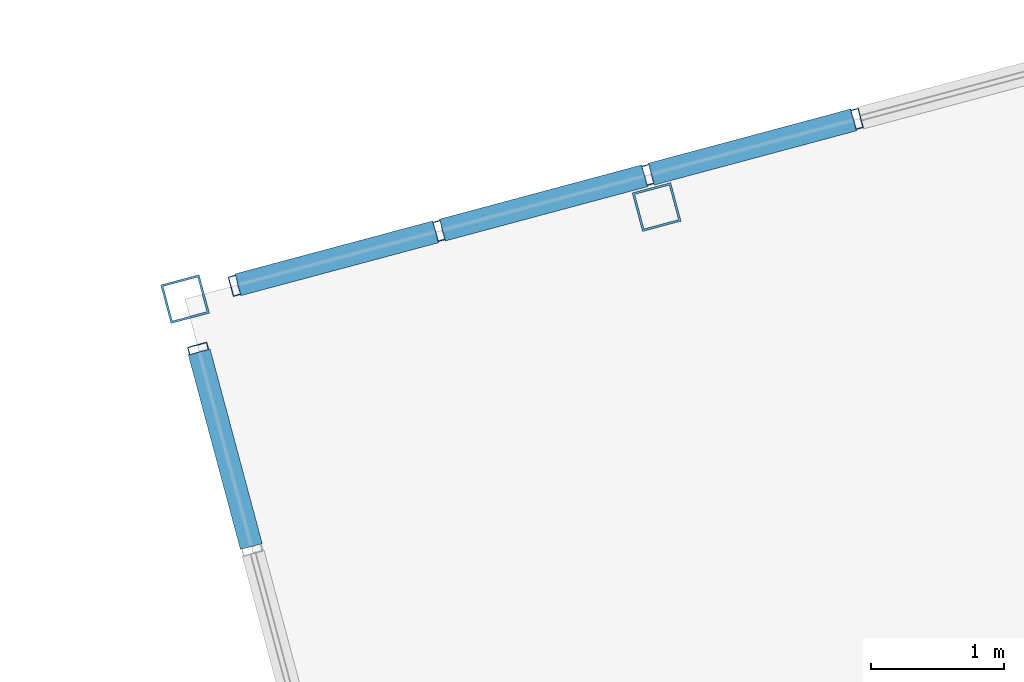
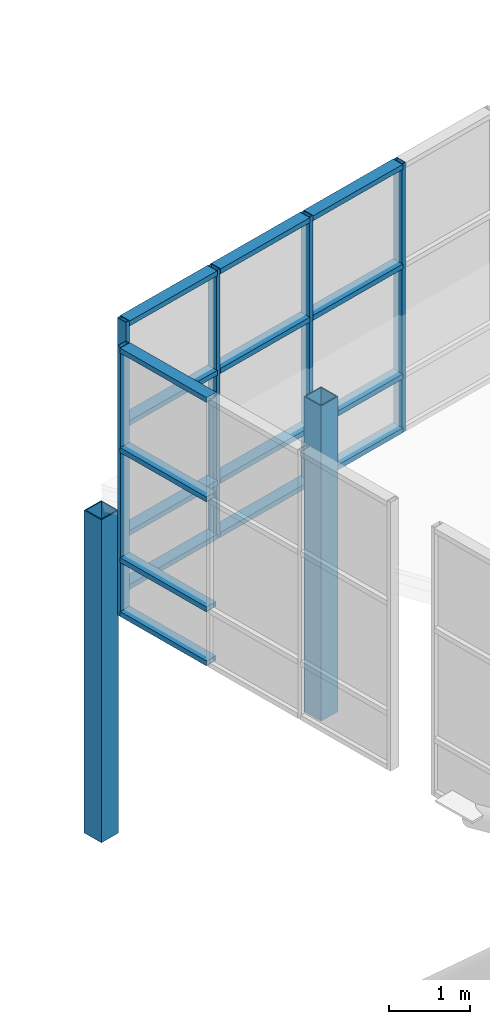
# One storey, part 8 of 28: 23 members, 2 elements without a shape of their own.
"""IFC4 building model written with IfcOpenShell, lengths in metres."""

from ifc_helpers import new_model, si_unit, direction, frame, origin, origin_2d, place, context, subcontext, project, spatial, hollow_rectangle, extrude, material, layer, layer_set, material_profile, profile_set, type_object, element, aggregate, save


model = new_model("IFC4")

# Units and contexts
model_context = context("Model", 3, precision=1e-05, world=origin(), true_north=direction((0.0, 1.0)))
body_context = subcontext(model_context, "Body", "Model", "MODEL_VIEW")
ifc_project = project(units=[si_unit("LENGTHUNIT", "METRE"), si_unit("AREAUNIT", "SQUARE_METRE"), si_unit("VOLUMEUNIT", "CUBIC_METRE"), si_unit("PLANEANGLEUNIT", "RADIAN"), si_unit("MASSUNIT", "GRAM", prefix="KILO")], contexts=[model_context])

# Site, building, storey
site_placement = place(None, origin())
site = spatial("IfcSite", under=ifc_project, at=site_placement, CompositionType="ELEMENT")
building_placement = place(site_placement, origin())
building = spatial("IfcBuilding", under=site, at=building_placement, Name="Ventoquebrada Cableway Terminal", CompositionType="ELEMENT")
storey_placement = place(building_placement, frame((0.0, 0.0, 23.39990234375)))
storey = spatial("IfcBuildingStorey", under=building, at=storey_placement, Name="RF", CompositionType="ELEMENT", Elevation=23.39990234375)

# Curtain wall, members
ifc_material_1 = material(Name="Anodized thermally-broken aluminium", Category="aluminium")
ifc_layer_1 = layer(ifc_material_1, 0.159912109375)
ifc_layer_set_1 = layer_set([ifc_layer_1], Name="Anodized thermally-broken aluminium")
curtain_wall_type_1 = type_object("IfcCurtainWallType", Name="CW-T48", PredefinedType="USERDEFINED", material=ifc_layer_set_1)
curtain_wall_1_placement = place(storey_placement, origin())
curtain_wall_1 = element("IfcCurtainWall", 1, at=curtain_wall_1_placement, inside=storey, type_object=curtain_wall_type_1, Name="Unitised glazed curtain wall CW-156", ObjectType="UNITISED CURTAIN WALL", PredefinedType="USERDEFINED")
ifc_material_profile_1 = material_profile(ifc_material_1, hollow_rectangle(XDim=0.06005859375, YDim=0.14990234375, WallThickness=0.00390625, at=origin_2d()), Name="CW-MUL-60X150")
ifc_profile_set_1 = profile_set([ifc_material_profile_1], Name="Anodized thermally-broken aluminium")
member_type_1 = type_object("IfcMemberType", Name="CWM-03", PredefinedType="MULLION", material=ifc_profile_set_1)
member_1_placement = place(storey_placement, frame((50.2958984375, 96.2509765625, -0.06298828125), z_axis=(0.0, 0.0, 1.0), x_axis=(-0.96593486019, -0.258785327773, 0.0)))
member_1 = element("IfcMember", 2, at=member_1_placement, type_object=member_type_1, Name="Curtain wall mullion FML-0758", PredefinedType="MULLION", context=body_context, shape_type="SweptSolid", body=[
    extrude(hollow_rectangle(XDim=0.06005859375, YDim=0.14990234375, WallThickness=0.00390625, at=origin_2d()), origin(), (0.0, 0.0, 1.0), 4.068115234375),
])
member_2_placement = place(storey_placement, frame((48.72607421875, 95.830078125, -0.06298828125), z_axis=(0.0, 0.0, 1.0), x_axis=(-0.96593486019, -0.258785327773, 0.0)))
member_2 = element("IfcMember", 3, at=member_2_placement, type_object=member_type_1, Name="Curtain wall mullion FML-0759", PredefinedType="MULLION", context=body_context, shape_type="SweptSolid", body=[
    extrude(hollow_rectangle(XDim=0.06005859375, YDim=0.14990234375, WallThickness=0.00390625, at=origin_2d()), origin(), (0.0, 0.0, 1.0), 4.068115234375),
])
member_3_placement = place(storey_placement, frame((47.156982421875, 95.409912109375, -0.06298828125), z_axis=(0.0, 0.0, 1.0), x_axis=(-0.96593486019, -0.258785327773, 0.0)))
member_3 = element("IfcMember", 4, at=member_3_placement, type_object=member_type_1, Name="Curtain wall mullion FML-0760", PredefinedType="MULLION", context=body_context, shape_type="SweptSolid", body=[
    extrude(hollow_rectangle(XDim=0.06005859375, YDim=0.14990234375, WallThickness=0.00390625, at=origin_2d()), origin(), (0.0, 0.0, 1.0), 4.068115234375),
])
member_4_placement = place(storey_placement, frame((45.62109375, 94.998046875, -0.06298828125), z_axis=(0.0, 0.0, 1.0), x_axis=(-0.96593486019, -0.258785327773, 0.0)))
member_4 = element("IfcMember", 5, at=member_4_placement, type_object=member_type_1, Name="Curtain wall mullion FML-0761", PredefinedType="MULLION", context=body_context, shape_type="SweptSolid", body=[
    extrude(hollow_rectangle(XDim=0.06005859375, YDim=0.14990234375, WallThickness=0.00390625, at=origin_2d()), origin(), (0.0, 0.0, 1.0), 4.068115234375),
])

# Curtain wall, member
ifc_layer_2 = layer(ifc_material_1, 0.159912109375)
ifc_layer_set_2 = layer_set([ifc_layer_2], Name="Anodized thermally-broken aluminium")
curtain_wall_type_2 = type_object("IfcCurtainWallType", Name="CW-T49", PredefinedType="USERDEFINED", material=ifc_layer_set_2)
curtain_wall_2_placement = place(storey_placement, origin())
curtain_wall_2 = element("IfcCurtainWall", 6, at=curtain_wall_2_placement, inside=storey, type_object=curtain_wall_type_2, Name="Unitised glazed curtain wall CW-164", ObjectType="UNITISED CURTAIN WALL", PredefinedType="USERDEFINED")
member_5_placement = place(storey_placement, frame((45.347900390625, 94.52587890625, -0.06298828125), z_axis=(0.0, 0.0, 1.0), x_axis=(0.258970769183, -0.965885159172, 0.0)))
member_5 = element("IfcMember", 7, at=member_5_placement, type_object=member_type_1, Name="Curtain wall mullion FML-0796", PredefinedType="MULLION", context=body_context, shape_type="SweptSolid", body=[
    extrude(hollow_rectangle(XDim=0.06005859375, YDim=0.14990234375, WallThickness=0.00390625, at=origin_2d()), origin(), (0.0, 0.0, 1.0), 4.068115234375),
])

# Member
ifc_material_profile_2 = material_profile(ifc_material_1, hollow_rectangle(XDim=0.074951171875, YDim=0.169921875, WallThickness=0.00439453125, at=origin_2d()), Name="CW-TRN-75X170")
ifc_profile_set_2 = profile_set([ifc_material_profile_2], Name="Anodized thermally-broken aluminium")
member_type_2 = type_object("IfcMemberType", Name="CWT-03", PredefinedType="USERDEFINED", material=ifc_profile_set_2)
member_6_placement = place(storey_placement, frame((50.27099609375, 96.243896484375, -0.02001953125), z_axis=(-0.965860816082, -0.259061544731, 0.0), x_axis=(0.0, 0.0, 1.0)))
member_6 = element("IfcMember", 8, at=member_6_placement, type_object=member_type_2, Name="Curtain wall transom FTR-2208", ObjectType="TRANSOM", PredefinedType="USERDEFINED", context=body_context, shape_type="SweptSolid", body=[
    extrude(hollow_rectangle(XDim=0.074951171875, YDim=0.169921875, WallThickness=0.00439453125, at=origin_2d()), origin(), (0.0, 0.0, 1.0), 1.57470703125),
])

member_7_placement = place(storey_placement, frame((50.27099609375, 96.243896484375, 0.795166015625), z_axis=(-0.965860816082, -0.259061544731, 0.0), x_axis=(0.0, 0.0, 1.0)))
member_7 = element("IfcMember", 9, at=member_7_placement, type_object=member_type_2, Name="Curtain wall transom FTR-2209", ObjectType="TRANSOM", PredefinedType="USERDEFINED", context=body_context, shape_type="SweptSolid", body=[
    extrude(hollow_rectangle(XDim=0.074951171875, YDim=0.169921875, WallThickness=0.00439453125, at=origin_2d()), origin(), (0.0, 0.0, 1.0), 1.57470703125),
])

member_8_placement = place(storey_placement, frame((50.27099609375, 96.243896484375, 2.458984375), z_axis=(-0.965860816082, -0.259061544731, 0.0), x_axis=(0.0, 0.0, 1.0)))
member_8 = element("IfcMember", 10, at=member_8_placement, type_object=member_type_2, Name="Curtain wall transom FTR-2210", ObjectType="TRANSOM", PredefinedType="USERDEFINED", context=body_context, shape_type="SweptSolid", body=[
    extrude(hollow_rectangle(XDim=0.074951171875, YDim=0.169921875, WallThickness=0.00439453125, at=origin_2d()), origin(), (0.0, 0.0, 1.0), 1.57470703125),
])

member_9_placement = place(storey_placement, frame((50.27099609375, 96.243896484375, 3.965087890625), z_axis=(-0.965860816082, -0.259061544731, 0.0), x_axis=(0.0, 0.0, 1.0)))
member_9 = element("IfcMember", 11, at=member_9_placement, type_object=member_type_2, Name="Curtain wall transom FTR-2211", ObjectType="TRANSOM", PredefinedType="USERDEFINED", context=body_context, shape_type="SweptSolid", body=[
    extrude(hollow_rectangle(XDim=0.074951171875, YDim=0.169921875, WallThickness=0.00439453125, at=origin_2d()), origin(), (0.0, 0.0, 1.0), 1.57470703125),
])

member_10_placement = place(storey_placement, frame((48.701904296875, 95.823974609375, -0.02001953125), z_axis=(-0.965860816082, -0.259061544731, 0.0), x_axis=(0.0, 0.0, 1.0)))
member_10 = element("IfcMember", 12, at=member_10_placement, type_object=member_type_2, Name="Curtain wall transom FTR-2212", ObjectType="TRANSOM", PredefinedType="USERDEFINED", context=body_context, shape_type="SweptSolid", body=[
    extrude(hollow_rectangle(XDim=0.074951171875, YDim=0.169921875, WallThickness=0.00439453125, at=origin_2d()), origin(), (0.0, 0.0, 1.0), 1.57470703125),
])

member_11_placement = place(storey_placement, frame((48.701904296875, 95.823974609375, 0.795166015625), z_axis=(-0.965860816082, -0.259061544731, 0.0), x_axis=(0.0, 0.0, 1.0)))
member_11 = element("IfcMember", 13, at=member_11_placement, type_object=member_type_2, Name="Curtain wall transom FTR-2213", ObjectType="TRANSOM", PredefinedType="USERDEFINED", context=body_context, shape_type="SweptSolid", body=[
    extrude(hollow_rectangle(XDim=0.074951171875, YDim=0.169921875, WallThickness=0.00439453125, at=origin_2d()), origin(), (0.0, 0.0, 1.0), 1.57470703125),
])

member_12_placement = place(storey_placement, frame((48.701904296875, 95.823974609375, 2.458984375), z_axis=(-0.965860816082, -0.259061544731, 0.0), x_axis=(0.0, 0.0, 1.0)))
member_12 = element("IfcMember", 14, at=member_12_placement, type_object=member_type_2, Name="Curtain wall transom FTR-2214", ObjectType="TRANSOM", PredefinedType="USERDEFINED", context=body_context, shape_type="SweptSolid", body=[
    extrude(hollow_rectangle(XDim=0.074951171875, YDim=0.169921875, WallThickness=0.00439453125, at=origin_2d()), origin(), (0.0, 0.0, 1.0), 1.57470703125),
])

member_13_placement = place(storey_placement, frame((48.701904296875, 95.823974609375, 3.965087890625), z_axis=(-0.965860816082, -0.259061544731, 0.0), x_axis=(0.0, 0.0, 1.0)))
member_13 = element("IfcMember", 15, at=member_13_placement, type_object=member_type_2, Name="Curtain wall transom FTR-2215", ObjectType="TRANSOM", PredefinedType="USERDEFINED", context=body_context, shape_type="SweptSolid", body=[
    extrude(hollow_rectangle(XDim=0.074951171875, YDim=0.169921875, WallThickness=0.00439453125, at=origin_2d()), origin(), (0.0, 0.0, 1.0), 1.57470703125),
])

member_14_placement = place(storey_placement, frame((47.132080078125, 95.403076171875, -0.02001953125), z_axis=(-0.96596857403, -0.25865945563, 0.0), x_axis=(0.0, 0.0, 1.0)))
member_14 = element("IfcMember", 16, at=member_14_placement, type_object=member_type_2, Name="Curtain wall transom FTR-2216", ObjectType="TRANSOM", PredefinedType="USERDEFINED", context=body_context, shape_type="SweptSolid", body=[
    extrude(hollow_rectangle(XDim=0.074951171875, YDim=0.169921875, WallThickness=0.00439453125, at=origin_2d()), origin(), (0.0, 0.0, 1.0), 1.53955078125),
])

member_15_placement = place(storey_placement, frame((47.132080078125, 95.403076171875, 0.795166015625), z_axis=(-0.96596857403, -0.25865945563, 0.0), x_axis=(0.0, 0.0, 1.0)))
member_15 = element("IfcMember", 17, at=member_15_placement, type_object=member_type_2, Name="Curtain wall transom FTR-2217", ObjectType="TRANSOM", PredefinedType="USERDEFINED", context=body_context, shape_type="SweptSolid", body=[
    extrude(hollow_rectangle(XDim=0.074951171875, YDim=0.169921875, WallThickness=0.00439453125, at=origin_2d()), origin(), (0.0, 0.0, 1.0), 1.53955078125),
])

member_16_placement = place(storey_placement, frame((47.132080078125, 95.403076171875, 2.458984375), z_axis=(-0.96596857403, -0.25865945563, 0.0), x_axis=(0.0, 0.0, 1.0)))
member_16 = element("IfcMember", 18, at=member_16_placement, type_object=member_type_2, Name="Curtain wall transom FTR-2218", ObjectType="TRANSOM", PredefinedType="USERDEFINED", context=body_context, shape_type="SweptSolid", body=[
    extrude(hollow_rectangle(XDim=0.074951171875, YDim=0.169921875, WallThickness=0.00439453125, at=origin_2d()), origin(), (0.0, 0.0, 1.0), 1.53955078125),
])

member_17_placement = place(storey_placement, frame((47.132080078125, 95.403076171875, 3.965087890625), z_axis=(-0.96596857403, -0.25865945563, 0.0), x_axis=(0.0, 0.0, 1.0)))
member_17 = element("IfcMember", 19, at=member_17_placement, type_object=member_type_2, Name="Curtain wall transom FTR-2219", ObjectType="TRANSOM", PredefinedType="USERDEFINED", context=body_context, shape_type="SweptSolid", body=[
    extrude(hollow_rectangle(XDim=0.074951171875, YDim=0.169921875, WallThickness=0.00439453125, at=origin_2d()), origin(), (0.0, 0.0, 1.0), 1.53955078125),
])

aggregate(curtain_wall_1, [member_1, member_2, member_3, member_4, member_6, member_7, member_8, member_9, member_10, member_11, member_12, member_13, member_14, member_15, member_16, member_17])

member_18_placement = place(storey_placement, frame((45.35498046875, 94.501953125, -0.02001953125), z_axis=(0.258886490244, -0.965907751894, 0.0), x_axis=(0.0, 0.0, 1.0)))
member_18 = element("IfcMember", 20, at=member_18_placement, type_object=member_type_2, Name="Curtain wall transom FTR-2328", ObjectType="TRANSOM", PredefinedType="USERDEFINED", context=body_context, shape_type="SweptSolid", body=[
    extrude(hollow_rectangle(XDim=0.074951171875, YDim=0.169921875, WallThickness=0.00439453125, at=origin_2d()), origin(), (0.0, 0.0, 1.0), 1.514404296875),
])

member_19_placement = place(storey_placement, frame((45.35498046875, 94.501953125, 0.795166015625), z_axis=(0.258886490244, -0.965907751894, 0.0), x_axis=(0.0, 0.0, 1.0)))
member_19 = element("IfcMember", 21, at=member_19_placement, type_object=member_type_2, Name="Curtain wall transom FTR-2329", ObjectType="TRANSOM", PredefinedType="USERDEFINED", context=body_context, shape_type="SweptSolid", body=[
    extrude(hollow_rectangle(XDim=0.074951171875, YDim=0.169921875, WallThickness=0.00439453125, at=origin_2d()), origin(), (0.0, 0.0, 1.0), 1.514404296875),
])

member_20_placement = place(storey_placement, frame((45.35498046875, 94.501953125, 2.458984375), z_axis=(0.258886490244, -0.965907751894, 0.0), x_axis=(0.0, 0.0, 1.0)))
member_20 = element("IfcMember", 22, at=member_20_placement, type_object=member_type_2, Name="Curtain wall transom FTR-2330", ObjectType="TRANSOM", PredefinedType="USERDEFINED", context=body_context, shape_type="SweptSolid", body=[
    extrude(hollow_rectangle(XDim=0.074951171875, YDim=0.169921875, WallThickness=0.00439453125, at=origin_2d()), origin(), (0.0, 0.0, 1.0), 1.514404296875),
])

member_21_placement = place(storey_placement, frame((45.35498046875, 94.501953125, 3.965087890625), z_axis=(0.258886490244, -0.965907751894, 0.0), x_axis=(0.0, 0.0, 1.0)))
member_21 = element("IfcMember", 23, at=member_21_placement, type_object=member_type_2, Name="Curtain wall transom FTR-2331", ObjectType="TRANSOM", PredefinedType="USERDEFINED", context=body_context, shape_type="SweptSolid", body=[
    extrude(hollow_rectangle(XDim=0.074951171875, YDim=0.169921875, WallThickness=0.00439453125, at=origin_2d()), origin(), (0.0, 0.0, 1.0), 1.514404296875),
])

aggregate(curtain_wall_2, [member_5, member_18, member_19, member_20, member_21])

# Members
ifc_material_2 = material(Name="Steel ASTM A500 Grade C", Category="steel")
ifc_material_profile_3 = material_profile(ifc_material_2, hollow_rectangle(XDim=0.300048828125, YDim=0.300048828125, WallThickness=0.01611328125, at=origin_2d()), Name="HSS300X300X16")
ifc_profile_set_3 = profile_set([ifc_material_profile_3], Name="Steel ASTM A500 Grade C")
member_type_3 = type_object("IfcMemberType", Name="PST-GS01", PredefinedType="STRUT", material=ifc_profile_set_3)
member_22_placement = place(storey_placement, frame((48.791015625, 95.589111328125, -3.39990234375), z_axis=(0.0, 0.0, 1.0), x_axis=(0.965925826289, 0.258819045103, 0.0)))
element("IfcMember", 24, at=member_22_placement, inside=storey, type_object=member_type_3, Name="Gridshell eaves support post PS-0444", PredefinedType="STRUT", context=body_context, shape_type="SweptSolid", body=[
    extrude(hollow_rectangle(XDim=0.300048828125, YDim=0.300048828125, WallThickness=0.01611328125, at=origin_2d()), origin(), (0.0, 0.0, 1.0), 4.76708984375),
])
ifc_material_profile_4 = material_profile(ifc_material_2, hollow_rectangle(XDim=0.300048828125, YDim=0.300048828125, WallThickness=0.01611328125, at=origin_2d()), Name="HSS300X300X16")
ifc_profile_set_4 = profile_set([ifc_material_profile_4], Name="Steel ASTM A500 Grade C")
member_type_4 = type_object("IfcMemberType", Name="STR-VS01", PredefinedType="STRUT", material=ifc_profile_set_4)
member_23_placement = place(storey_placement, frame((45.2490234375, 94.89794921875, -3.579833984375), z_axis=(0.0, 0.0, 1.0), x_axis=(0.965925826289, 0.258819045103, 0.0)))
element("IfcMember", 25, at=member_23_placement, inside=storey, type_object=member_type_4, Name="Gridshell deck stand-off post GS-SP-0443", PredefinedType="STRUT", context=body_context, shape_type="SweptSolid", body=[
    extrude(hollow_rectangle(XDim=0.300048828125, YDim=0.300048828125, WallThickness=0.01611328125, at=origin_2d()), origin(), (0.0, 0.0, 1.0), 4.885009765625),
])

save(model, "model.ifc")
